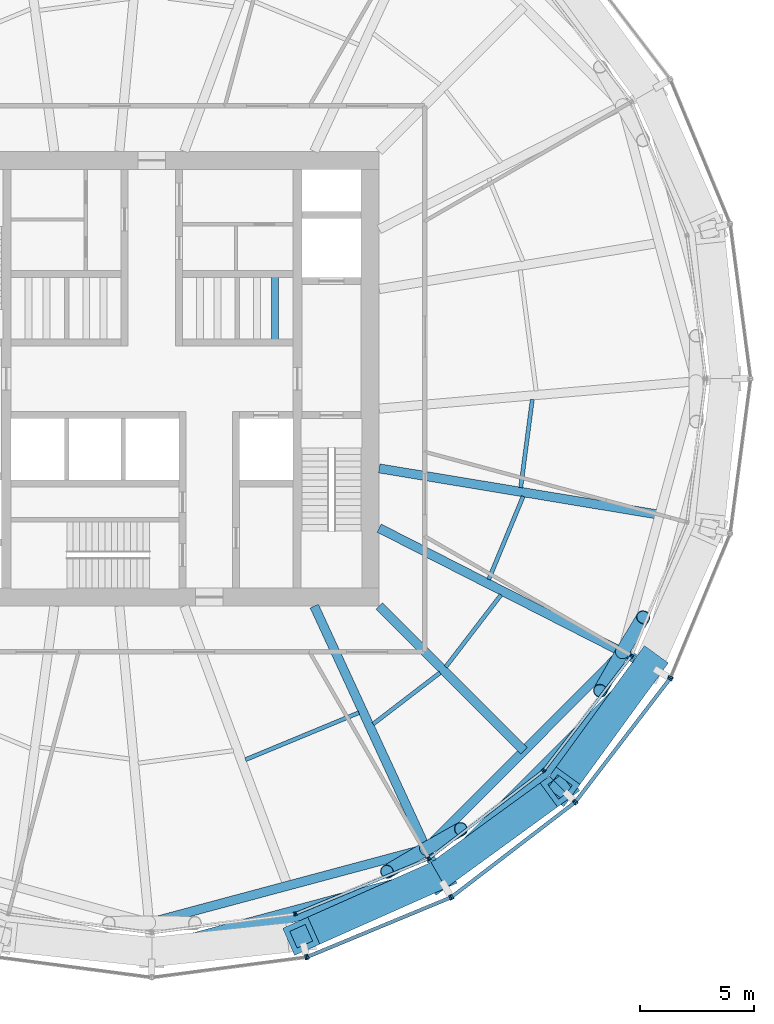
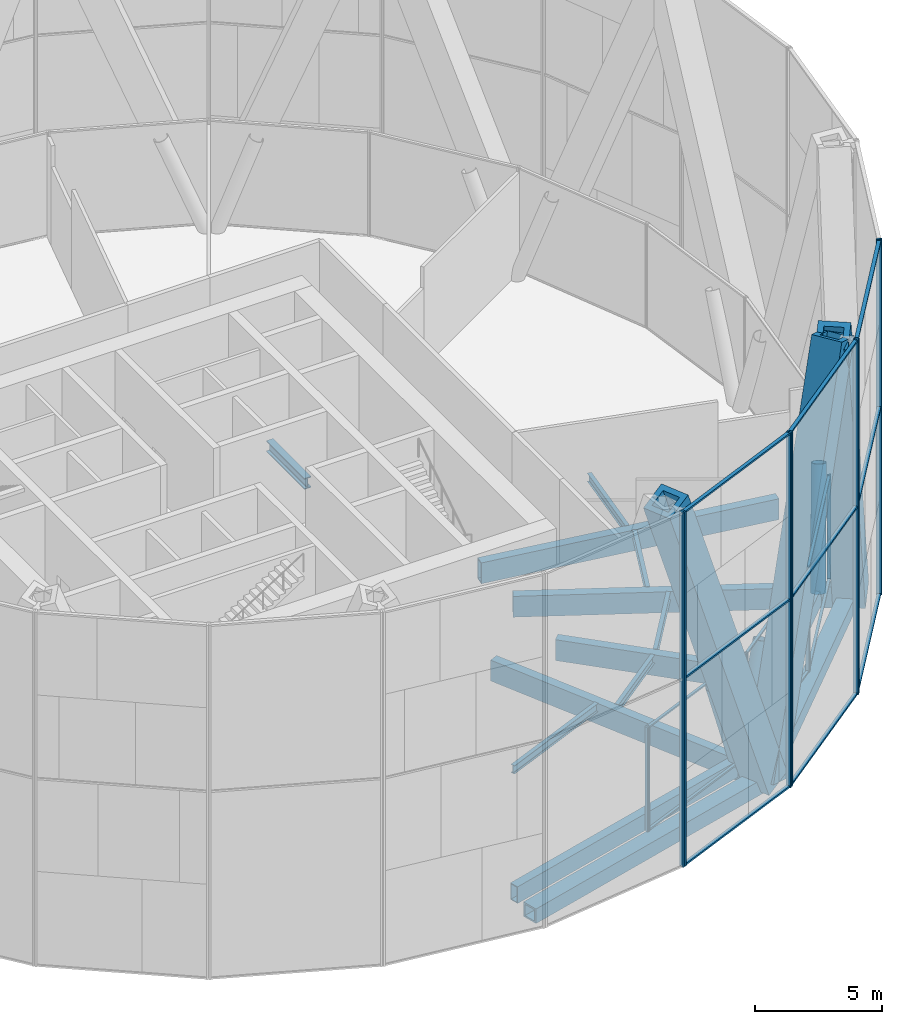
# One storey, part 4 of 16: 38 members, 14 beams, 10 elements without a shape of their own.
"""IFC4 building model written with IfcOpenShell, lengths in metres."""

from ifc_helpers import new_model, si_unit, direction, frame, origin, origin_2d, place, context, subcontext, project, spatial, rectangle, hollow_rectangle, hollow_circle, i_section, extrude, material, material_profile, profile_set, type_object, element, aggregate, save


model = new_model("IFC4")

# Units and contexts
model_context = context("Model", 3, precision=1e-05, world=origin(), true_north=direction((0.0, 1.0)))
body_context = subcontext(model_context, "Body", "Model", "MODEL_VIEW")
ifc_project = project(units=[si_unit("LENGTHUNIT", "METRE"), si_unit("AREAUNIT", "SQUARE_METRE"), si_unit("VOLUMEUNIT", "CUBIC_METRE"), si_unit("PLANEANGLEUNIT", "RADIAN"), si_unit("MASSUNIT", "GRAM", prefix="KILO")], contexts=[model_context])

# Site, building, storey
site_placement = place(None, origin())
site = spatial("IfcSite", under=ifc_project, at=site_placement, CompositionType="ELEMENT")
building_placement = place(site_placement, origin())
building = spatial("IfcBuilding", under=site, at=building_placement, Name="Golbaran Civic Tower", CompositionType="ELEMENT")
storey_placement = place(building_placement, frame((0.0, 0.0, 85.0)))
storey = spatial("IfcBuildingStorey", under=building, at=storey_placement, Name="L20", CompositionType="ELEMENT", Elevation=85.0)

# Members
ifc_material_1 = material(Name="Steel S355", Category="steel")
ifc_material_profile_1 = material_profile(ifc_material_1, hollow_circle(Radius=0.304931640625, WallThickness=0.02490234375, at=origin_2d()), Name="CHS 610.0x25")
ifc_profile_set_1 = profile_set([ifc_material_profile_1], Name="Steel S355")
member_type_1 = type_object("IfcMemberType", Name="BELT TRUSS DIAGONAL CHS 610.0x25", PredefinedType="BRACE", material=ifc_profile_set_1)
member_1_placement = place(storey_placement, frame((12.065185546875, -20.6630859375, -0.60009765625), z_axis=(0.288582653462, 0.161915925956, 0.943664816046), x_axis=(-0.489315556037, 0.872106809181, 0.0)))
element("IfcMember", 1, at=member_1_placement, inside=storey, type_object=member_type_1, Name="Belt truss diagonal 300.00R L20", PredefinedType="BRACE", context=body_context, shape_type="SweptSolid", body=[
    extrude(hollow_circle(Radius=0.304931640625, WallThickness=0.02490234375, at=origin_2d()), origin(), (0.0, 0.0, 1.0), 5.298583984375),
])
member_2_placement = place(storey_placement, frame((12.065185546875, -20.6630859375, -0.60009765625), z_axis=(-0.319905106981, -0.189078107017, 0.928391184778), x_axis=(0.50881561717, -0.860875523943, 0.0)))
element("IfcMember", 2, at=member_2_placement, inside=storey, type_object=member_type_1, Name="Belt truss diagonal 300.00L L20", PredefinedType="BRACE", context=body_context, shape_type="SweptSolid", body=[
    extrude(hollow_circle(Radius=0.304931640625, WallThickness=0.02490234375, at=origin_2d()), origin(), (0.0, 0.0, 1.0), 5.3857421875),
])
member_3_placement = place(storey_placement, frame((20.688232421875, -12.021728515625, -0.60009765625), z_axis=(0.17373343176, 0.288666900773, 0.941534978154), x_axis=(-0.856793813137, 0.515659152707, 0.0)))
element("IfcMember", 3, at=member_3_placement, inside=storey, type_object=member_type_1, Name="Belt truss diagonal 330.00R L20", PredefinedType="BRACE", context=body_context, shape_type="SweptSolid", body=[
    extrude(hollow_circle(Radius=0.304931640625, WallThickness=0.02490234375, at=origin_2d()), origin(), (0.0, 0.0, 1.0), 5.310546875),
])
member_4_placement = place(storey_placement, frame((20.688232421875, -12.021728515625, -0.60009765625), z_axis=(-0.181029971918, -0.316779719821, 0.931063240805), x_axis=(0.86822780606, -0.496165775507, 0.0)))
element("IfcMember", 4, at=member_4_placement, inside=storey, type_object=member_type_1, Name="Belt truss diagonal 330.00L L20", PredefinedType="BRACE", context=body_context, shape_type="SweptSolid", body=[
    extrude(hollow_circle(Radius=0.304931640625, WallThickness=0.02490234375, at=origin_2d()), origin(), (0.0, 0.0, 1.0), 5.3701171875),
])
ifc_material_profile_2 = material_profile(ifc_material_1, hollow_rectangle(XDim=1.300048828125, YDim=1.300048828125, WallThickness=0.25, at=origin_2d()), Name="BOX 1300x1300x250")
ifc_profile_set_2 = profile_set([ifc_material_profile_2], Name="Steel S355")
member_type_2 = type_object("IfcMemberType", Name="DIAGRID DIAGONAL BOX 1300x1300x250", PredefinedType="BRACE", material=ifc_profile_set_2)
for number, where, z_axis, x_axis, name in (
    (5, (12.60546875, -21.833251953125, -0.7099609375), (0.292875852707, 0.213080937127, 0.932105277924), (-0.588316728149, 0.80863058771, 0.0), "Diagonal D04-10R L20-L24"),
    (6, (12.60546875, -21.833251953125, -0.7099609375), (-0.330972563789, -0.14710040459, 0.932104410991), (0.406141895231, -0.913810024533, 0.0), "Diagonal D04-10L L20-L24"),
    (7, (21.833251953125, -12.60546875, -0.7099609375), (-0.213080937127, -0.292875852707, 0.932105277924), (0.80863058771, -0.588316728149, 0.0), "Diagonal D04-11L L20-L24"),
):
    element("IfcMember", number, at=place(storey_placement, frame(where, z_axis=z_axis, x_axis=x_axis)), inside=storey, type_object=member_type_2, Name=name, PredefinedType="BRACE", context=body_context, shape_type="SweptSolid", body=[
        extrude(hollow_rectangle(XDim=1.300048828125, YDim=1.300048828125, WallThickness=0.25, at=origin_2d()), origin(), (0.0, 0.0, 1.0), 18.23828125),
    ])

# Beams
ifc_material_profile_3 = material_profile(ifc_material_1, hollow_rectangle(XDim=0.699951171875, YDim=0.699951171875, WallThickness=0.080078125, at=origin_2d()), Name="BOX 700x700x80")
ifc_profile_set_3 = profile_set([ifc_material_profile_3], Name="Steel S355")
beam_type_1 = type_object("IfcBeamType", Name="DIAGRID RING TIE BOX 700x700x80", PredefinedType="BEAM", material=ifc_profile_set_3)
for number, where, z_axis, x_axis, name in (
    (8, (0.0, -25.2109375, -0.7099609375), (0.965924669682, 0.258823361579, 0.0), (-0.258823361579, 0.965924669682, 0.0), "Ring tie 270.00 L20"),
    (9, (12.60546875, -21.833251953125, -0.7099609375), (0.707106781187, 0.707106781187, 0.0), (-0.707106781187, 0.707106781187, 0.0), "Ring tie 300.00 L20"),
):
    element("IfcBeam", number, at=place(storey_placement, frame(where, z_axis=z_axis, x_axis=x_axis)), inside=storey, type_object=beam_type_1, Name=name, PredefinedType="BEAM", context=body_context, shape_type="SweptSolid", body=[
        extrude(hollow_rectangle(XDim=0.699951171875, YDim=0.699951171875, WallThickness=0.080078125, at=origin_2d()), origin(), (0.0, 0.0, 1.0), 13.050048828125),
    ])
ifc_material_profile_4 = material_profile(ifc_material_1, hollow_rectangle(XDim=0.39990234375, YDim=0.800048828125, WallThickness=0.0400390625, at=origin_2d()), Name="BOX 800x400x40")
ifc_profile_set_4 = profile_set([ifc_material_profile_4], Name="Steel S355")
beam_type_2 = type_object("IfcBeamType", Name="EDGE BEAM BOX 800x400x40", PredefinedType="BEAM", material=ifc_profile_set_4)
beam_1_placement = place(storey_placement, frame((0.055908203125, -23.8798828125, -0.60009765625), z_axis=(0.9659442267, 0.258750364067, 0.0), x_axis=(-0.258750364067, 0.9659442267, 0.0)))
element("IfcBeam", 10, at=beam_1_placement, inside=storey, type_object=beam_type_2, Name="Edge beam 270.00 L20", PredefinedType="BEAM", context=body_context, shape_type="SweptSolid", body=[
    extrude(hollow_rectangle(XDim=0.39990234375, YDim=0.800048828125, WallThickness=0.0400390625, at=origin_2d()), origin(), (0.0, 0.0, 1.0), 12.25),
])
beam_2_placement = place(storey_placement, frame((12.20068359375, -20.527099609375, -0.60009765625), z_axis=(0.706363241549, 0.707849539795, 0.0), x_axis=(-0.707849539795, 0.706363241549, 0.0)))
element("IfcBeam", 11, at=beam_2_placement, inside=storey, type_object=beam_type_2, Name="Edge beam 300.00 L20", PredefinedType="BEAM", context=body_context, shape_type="SweptSolid", body=[
    extrude(hollow_rectangle(XDim=0.39990234375, YDim=0.800048828125, WallThickness=0.0400390625, at=origin_2d()), origin(), (0.0, 0.0, 1.0), 11.82666015625),
])
ifc_material_profile_5 = material_profile(ifc_material_1, i_section(OverallWidth=0.179931640625, OverallDepth=0.39990234375, WebThickness=0.008544921875, FlangeThickness=0.013427734375, FilletRadius=0.02099609375, at=origin_2d()), Name="IPE 400")
ifc_profile_set_5 = profile_set([ifc_material_profile_5], Name="Steel S355")
beam_type_3 = type_object("IfcBeamType", Name="FLOOR INFILL BEAM IPE 400", PredefinedType="BEAM", material=ifc_profile_set_5)
beam_3_placement = place(storey_placement, frame((4.11669921875, -16.751953125, -0.39990234375), z_axis=(0.923878564595, 0.382685769113, 0.0), x_axis=(-0.382685769113, 0.923878564595, 0.0)))
element("IfcBeam", 12, at=beam_3_placement, inside=storey, type_object=beam_type_3, Name="Infill beam 292.50 L20", PredefinedType="BEAM", context=body_context, shape_type="SweptSolid", body=[
    extrude(i_section(OverallWidth=0.179931640625, OverallDepth=0.39990234375, WebThickness=0.008544921875, FlangeThickness=0.013427734375, FilletRadius=0.02099609375, at=origin_2d()), origin(), (0.0, 0.0, 1.0), 5.401611328125),
])
beam_4_placement = place(storey_placement, frame((9.734130859375, -15.18359375, -0.39990234375), z_axis=(0.793372973676, 0.60873584143, 0.0), x_axis=(-0.60873584143, 0.793372973676, 0.0)))
element("IfcBeam", 13, at=beam_4_placement, inside=storey, type_object=beam_type_3, Name="Infill beam 307.50 L20", PredefinedType="BEAM", context=body_context, shape_type="SweptSolid", body=[
    extrude(i_section(OverallWidth=0.179931640625, OverallDepth=0.39990234375, WebThickness=0.008544921875, FlangeThickness=0.013427734375, FilletRadius=0.02099609375, at=origin_2d()), origin(), (0.0, 0.0, 1.0), 3.705078125),
])
beam_5_placement = place(storey_placement, frame((12.92578125, -12.671142578125, -0.39990234375), z_axis=(0.608761492102, 0.793353291878, 0.0), x_axis=(-0.793353291878, 0.608761492102, 0.0)))
element("IfcBeam", 14, at=beam_5_placement, inside=storey, type_object=beam_type_3, Name="Infill beam 322.50 L20", PredefinedType="BEAM", context=body_context, shape_type="SweptSolid", body=[
    extrude(i_section(OverallWidth=0.179931640625, OverallDepth=0.39990234375, WebThickness=0.008544921875, FlangeThickness=0.013427734375, FilletRadius=0.02099609375, at=origin_2d()), origin(), (0.0, 0.0, 1.0), 3.99169921875),
])
beam_6_placement = place(storey_placement, frame((14.815673828125, -8.824951171875, -0.39990234375), z_axis=(0.38270267785, 0.923871560536, 0.0), x_axis=(-0.923871560536, 0.38270267785, 0.0)))
element("IfcBeam", 15, at=beam_6_placement, inside=storey, type_object=beam_type_3, Name="Infill beam 337.50 L20", PredefinedType="BEAM", context=body_context, shape_type="SweptSolid", body=[
    extrude(i_section(OverallWidth=0.179931640625, OverallDepth=0.39990234375, WebThickness=0.008544921875, FlangeThickness=0.013427734375, FilletRadius=0.02099609375, at=origin_2d()), origin(), (0.0, 0.0, 1.0), 3.953369140625),
])
beam_7_placement = place(storey_placement, frame((16.22119140625, -4.7900390625, -0.39990234375), z_axis=(0.130494890856, 0.991448981774, 0.0), x_axis=(-0.991448981774, 0.130494890856, 0.0)))
element("IfcBeam", 16, at=beam_7_placement, inside=storey, type_object=beam_type_3, Name="Infill beam 352.50 L20", PredefinedType="BEAM", context=body_context, shape_type="SweptSolid", body=[
    extrude(i_section(OverallWidth=0.179931640625, OverallDepth=0.39990234375, WebThickness=0.008544921875, FlangeThickness=0.013427734375, FilletRadius=0.02099609375, at=origin_2d()), origin(), (0.0, 0.0, 1.0), 3.91015625),
])
ifc_material_profile_6 = material_profile(ifc_material_1, i_section(OverallWidth=0.305908203125, OverallDepth=0.52392578125, WebThickness=0.02099609375, FlangeThickness=0.0400390625, FilletRadius=0.027099609375, at=origin_2d()), Name="HEM 500")
ifc_profile_set_6 = profile_set([ifc_material_profile_6], Name="Steel S355")
beam_type_4 = type_object("IfcBeamType", Name="LIFT PIT BEAM HEM 500", PredefinedType="BEAM", material=ifc_profile_set_6)
beam_8_placement = place(storey_placement, frame((5.416748046875, 1.60009765625, 1.738037109375), z_axis=(0.0, 1.0, 0.0), x_axis=(-1.0, 0.0, 0.0)))
element("IfcBeam", 17, at=beam_8_placement, inside=storey, type_object=beam_type_4, Name="Lift pit beam Z4M 2", PredefinedType="BEAM", context=body_context, shape_type="SweptSolid", body=[
    extrude(i_section(OverallWidth=0.305908203125, OverallDepth=0.52392578125, WebThickness=0.02099609375, FlangeThickness=0.0400390625, FilletRadius=0.027099609375, at=origin_2d()), origin(), (0.0, 0.0, 1.0), 3.0),
])

# Curtain wall, member
ifc_material_2 = material(Name="Aluminium and glass", Category="aluminium")
curtain_wall_type_1 = type_object("IfcCurtainWallType", Name="OUTER SKIN TERRACOTTA SCREEN", PredefinedType="NOTDEFINED", material=ifc_material_2)
curtain_wall_1_placement = place(storey_placement, origin())
curtain_wall_1 = element("IfcCurtainWall", 18, at=curtain_wall_1_placement, inside=storey, type_object=curtain_wall_type_1, Name="Outer skin L20 facet 19 CW3", ObjectType="OUTER SKIN", PredefinedType="USERDEFINED")
ifc_material_3 = material(Name="Aluminium", Category="aluminium")
ifc_material_profile_7 = material_profile(ifc_material_3, rectangle(XDim=0.219970703125, YDim=0.080078125, at=origin_2d()), Name="OUTER SKIN TERRACOTTA SCREEN MULLION")
ifc_profile_set_7 = profile_set([ifc_material_profile_7], Name="Aluminium")
member_type_3 = type_object("IfcMemberType", Name="OUTER SKIN TERRACOTTA SCREEN MULLION", PredefinedType="MULLION", material=ifc_profile_set_7)
member_5_placement = place(storey_placement, frame((6.775390625, -25.43896484375, -0.7099609375), z_axis=(0.0, 0.0, 1.0), x_axis=(-0.13052619222, 0.991444861374, 0.0)))
member_5 = element("IfcMember", 19, at=member_5_placement, type_object=member_type_3, Name="CW3 mullion 2", PredefinedType="MULLION", context=body_context, shape_type="SweptSolid", body=[
    extrude(rectangle(XDim=0.219970703125, YDim=0.080078125, at=origin_2d()), origin(), (0.0, 0.0, 1.0), 17.0),
])
aggregate(curtain_wall_1, [member_5])

# Curtain wall, members
curtain_wall_2_placement = place(storey_placement, origin())
curtain_wall_2 = element("IfcCurtainWall", 20, at=curtain_wall_2_placement, inside=storey, type_object=curtain_wall_type_1, Name="Outer skin L20 facet 20 CW3", ObjectType="OUTER SKIN", PredefinedType="USERDEFINED")
member_6_placement = place(storey_placement, frame((6.851806640625, -25.41845703125, -0.7099609375), z_axis=(0.0, 0.0, 1.0), x_axis=(-0.382683432397, 0.923879532498, 0.0)))
member_6 = element("IfcMember", 21, at=member_6_placement, type_object=member_type_3, Name="CW3 mullion 1", PredefinedType="MULLION", context=body_context, shape_type="SweptSolid", body=[
    extrude(rectangle(XDim=0.219970703125, YDim=0.080078125, at=origin_2d()), origin(), (0.0, 0.0, 1.0), 17.0),
])
member_7_placement = place(storey_placement, frame((13.128662109375, -22.818603515625, -0.7099609375), z_axis=(0.0, 0.0, 1.0), x_axis=(-0.382683432397, 0.923879532498, 0.0)))
member_7 = element("IfcMember", 22, at=member_7_placement, type_object=member_type_3, Name="CW3 mullion 2", PredefinedType="MULLION", context=body_context, shape_type="SweptSolid", body=[
    extrude(rectangle(XDim=0.219970703125, YDim=0.080078125, at=origin_2d()), origin(), (0.0, 0.0, 1.0), 17.0),
])

curtain_wall_3_placement = place(storey_placement, origin())
curtain_wall_3 = element("IfcCurtainWall", 23, at=curtain_wall_3_placement, inside=storey, type_object=curtain_wall_type_1, Name="Outer skin L20 facet 21 CW3", ObjectType="OUTER SKIN", PredefinedType="USERDEFINED")
member_8_placement = place(storey_placement, frame((13.197265625, -22.779052734375, -0.7099609375), z_axis=(0.0, 0.0, 1.0), x_axis=(-0.608761429078, 0.793353340238, 0.0)))
member_8 = element("IfcMember", 24, at=member_8_placement, type_object=member_type_3, Name="CW3 mullion 1", PredefinedType="MULLION", context=body_context, shape_type="SweptSolid", body=[
    extrude(rectangle(XDim=0.219970703125, YDim=0.080078125, at=origin_2d()), origin(), (0.0, 0.0, 1.0), 17.0),
])
member_9_placement = place(storey_placement, frame((18.587158203125, -18.64306640625, -0.7099609375), z_axis=(0.0, 0.0, 1.0), x_axis=(-0.608761429078, 0.793353340238, 0.0)))
member_9 = element("IfcMember", 25, at=member_9_placement, type_object=member_type_3, Name="CW3 mullion 2", PredefinedType="MULLION", context=body_context, shape_type="SweptSolid", body=[
    extrude(rectangle(XDim=0.219970703125, YDim=0.080078125, at=origin_2d()), origin(), (0.0, 0.0, 1.0), 17.0),
])

curtain_wall_4_placement = place(storey_placement, origin())
curtain_wall_4 = element("IfcCurtainWall", 26, at=curtain_wall_4_placement, inside=storey, type_object=curtain_wall_type_1, Name="Outer skin L20 facet 22 CW3", ObjectType="OUTER SKIN", PredefinedType="USERDEFINED")
member_10_placement = place(storey_placement, frame((18.64306640625, -18.587158203125, -0.7099609375), z_axis=(0.0, 0.0, 1.0), x_axis=(-0.793353340238, 0.608761429078, 0.0)))
member_10 = element("IfcMember", 27, at=member_10_placement, type_object=member_type_3, Name="CW3 mullion 1", PredefinedType="MULLION", context=body_context, shape_type="SweptSolid", body=[
    extrude(rectangle(XDim=0.219970703125, YDim=0.080078125, at=origin_2d()), origin(), (0.0, 0.0, 1.0), 17.0),
])
member_11_placement = place(storey_placement, frame((22.779052734375, -13.197265625, -0.7099609375), z_axis=(0.0, 0.0, 1.0), x_axis=(-0.793353340238, 0.608761429078, 0.0)))
member_11 = element("IfcMember", 28, at=member_11_placement, type_object=member_type_3, Name="CW3 mullion 2", PredefinedType="MULLION", context=body_context, shape_type="SweptSolid", body=[
    extrude(rectangle(XDim=0.219970703125, YDim=0.080078125, at=origin_2d()), origin(), (0.0, 0.0, 1.0), 17.0),
])

# Curtain wall, member
curtain_wall_5_placement = place(storey_placement, origin())
curtain_wall_5 = element("IfcCurtainWall", 29, at=curtain_wall_5_placement, inside=storey, type_object=curtain_wall_type_1, Name="Outer skin L20 facet 23 CW3", ObjectType="OUTER SKIN", PredefinedType="USERDEFINED")
member_12_placement = place(storey_placement, frame((22.818603515625, -13.128662109375, -0.7099609375), z_axis=(0.0, 0.0, 1.0), x_axis=(-0.923879532498, 0.382683432397, 0.0)))
member_12 = element("IfcMember", 30, at=member_12_placement, type_object=member_type_3, Name="CW3 mullion 1", PredefinedType="MULLION", context=body_context, shape_type="SweptSolid", body=[
    extrude(rectangle(XDim=0.219970703125, YDim=0.080078125, at=origin_2d()), origin(), (0.0, 0.0, 1.0), 17.0),
])
aggregate(curtain_wall_5, [member_12])

# Member
ifc_material_profile_8 = material_profile(ifc_material_3, rectangle(XDim=0.159912109375, YDim=0.080078125, at=origin_2d()), Name="OUTER SKIN TERRACOTTA SCREEN TRANSOM")
ifc_profile_set_8 = profile_set([ifc_material_profile_8], Name="Aluminium")
member_type_4 = type_object("IfcMemberType", Name="OUTER SKIN TERRACOTTA SCREEN TRANSOM", PredefinedType="USERDEFINED", material=ifc_profile_set_8)
member_13_placement = place(storey_placement, frame((6.888916015625, -25.403076171875, -0.669921875), z_axis=(0.923886086395, 0.382667609507, 0.0), x_axis=(-0.382667609507, 0.923886086395, 0.0)))
member_13 = element("IfcMember", 31, at=member_13_placement, type_object=member_type_4, Name="CW3 transom 1.1", ObjectType="TRANSOM", PredefinedType="USERDEFINED", context=body_context, shape_type="SweptSolid", body=[
    extrude(rectangle(XDim=0.159912109375, YDim=0.080078125, at=origin_2d()), origin(), (0.0, 0.0, 1.0), 6.713623046875),
])

member_14_placement = place(storey_placement, frame((6.888916015625, -25.403076171875, 8.2900390625), z_axis=(0.923886086395, 0.382667609507, 0.0), x_axis=(-0.382667609507, 0.923886086395, 0.0)))
member_14 = element("IfcMember", 32, at=member_14_placement, type_object=member_type_4, Name="CW3 transom 1.2", ObjectType="TRANSOM", PredefinedType="USERDEFINED", context=body_context, shape_type="SweptSolid", body=[
    extrude(rectangle(XDim=0.159912109375, YDim=0.080078125, at=origin_2d()), origin(), (0.0, 0.0, 1.0), 6.713623046875),
])

member_15_placement = place(storey_placement, frame((6.888916015625, -25.403076171875, 16.25), z_axis=(0.923886086395, 0.382667609507, 0.0), x_axis=(-0.382667609507, 0.923886086395, 0.0)))
member_15 = element("IfcMember", 33, at=member_15_placement, type_object=member_type_4, Name="CW3 transom 1.3", ObjectType="TRANSOM", PredefinedType="USERDEFINED", context=body_context, shape_type="SweptSolid", body=[
    extrude(rectangle(XDim=0.159912109375, YDim=0.080078125, at=origin_2d()), origin(), (0.0, 0.0, 1.0), 6.713623046875),
])

aggregate(curtain_wall_2, [member_6, member_7, member_13, member_14, member_15])

member_16_placement = place(storey_placement, frame((13.22900390625, -22.754638671875, -0.669921875), z_axis=(0.793349351802, 0.608766626874, 0.0), x_axis=(-0.608766626874, 0.793349351802, 0.0)))
member_16 = element("IfcMember", 34, at=member_16_placement, type_object=member_type_4, Name="CW3 transom 1.1", ObjectType="TRANSOM", PredefinedType="USERDEFINED", context=body_context, shape_type="SweptSolid", body=[
    extrude(rectangle(XDim=0.159912109375, YDim=0.080078125, at=origin_2d()), origin(), (0.0, 0.0, 1.0), 6.7138671875),
])

member_17_placement = place(storey_placement, frame((13.22900390625, -22.754638671875, 8.2900390625), z_axis=(0.793349351802, 0.608766626874, 0.0), x_axis=(-0.608766626874, 0.793349351802, 0.0)))
member_17 = element("IfcMember", 35, at=member_17_placement, type_object=member_type_4, Name="CW3 transom 1.2", ObjectType="TRANSOM", PredefinedType="USERDEFINED", context=body_context, shape_type="SweptSolid", body=[
    extrude(rectangle(XDim=0.159912109375, YDim=0.080078125, at=origin_2d()), origin(), (0.0, 0.0, 1.0), 6.7138671875),
])

member_18_placement = place(storey_placement, frame((13.22900390625, -22.754638671875, 16.25), z_axis=(0.793349351802, 0.608766626874, 0.0), x_axis=(-0.608766626874, 0.793349351802, 0.0)))
member_18 = element("IfcMember", 36, at=member_18_placement, type_object=member_type_4, Name="CW3 transom 1.3", ObjectType="TRANSOM", PredefinedType="USERDEFINED", context=body_context, shape_type="SweptSolid", body=[
    extrude(rectangle(XDim=0.159912109375, YDim=0.080078125, at=origin_2d()), origin(), (0.0, 0.0, 1.0), 6.7138671875),
])

aggregate(curtain_wall_3, [member_8, member_9, member_16, member_17, member_18])

member_19_placement = place(storey_placement, frame((18.66748046875, -18.555419921875, -0.669921875), z_axis=(0.608766626874, 0.793349351802, 0.0), x_axis=(-0.793349351802, 0.608766626874, 0.0)))
member_19 = element("IfcMember", 37, at=member_19_placement, type_object=member_type_4, Name="CW3 transom 1.1", ObjectType="TRANSOM", PredefinedType="USERDEFINED", context=body_context, shape_type="SweptSolid", body=[
    extrude(rectangle(XDim=0.159912109375, YDim=0.080078125, at=origin_2d()), origin(), (0.0, 0.0, 1.0), 6.7138671875),
])

member_20_placement = place(storey_placement, frame((18.66748046875, -18.555419921875, 8.2900390625), z_axis=(0.608766626874, 0.793349351802, 0.0), x_axis=(-0.793349351802, 0.608766626874, 0.0)))
member_20 = element("IfcMember", 38, at=member_20_placement, type_object=member_type_4, Name="CW3 transom 1.2", ObjectType="TRANSOM", PredefinedType="USERDEFINED", context=body_context, shape_type="SweptSolid", body=[
    extrude(rectangle(XDim=0.159912109375, YDim=0.080078125, at=origin_2d()), origin(), (0.0, 0.0, 1.0), 6.7138671875),
])

member_21_placement = place(storey_placement, frame((18.66748046875, -18.555419921875, 16.25), z_axis=(0.608766626874, 0.793349351802, 0.0), x_axis=(-0.793349351802, 0.608766626874, 0.0)))
member_21 = element("IfcMember", 39, at=member_21_placement, type_object=member_type_4, Name="CW3 transom 1.3", ObjectType="TRANSOM", PredefinedType="USERDEFINED", context=body_context, shape_type="SweptSolid", body=[
    extrude(rectangle(XDim=0.159912109375, YDim=0.080078125, at=origin_2d()), origin(), (0.0, 0.0, 1.0), 6.7138671875),
])

aggregate(curtain_wall_4, [member_10, member_11, member_19, member_20, member_21])

# Curtain wall, member
curtain_wall_type_2 = type_object("IfcCurtainWallType", Name="PLANT FLOOR LOUVRE WALL", PredefinedType="NOTDEFINED", material=ifc_material_2)
curtain_wall_6_placement = place(storey_placement, origin())
curtain_wall_6 = element("IfcCurtainWall", 40, at=curtain_wall_6_placement, inside=storey, type_object=curtain_wall_type_2, Name="Inner skin L20 facet 19 CW6", ObjectType="PLANT LOUVRE WALL", PredefinedType="USERDEFINED")
ifc_material_profile_9 = material_profile(ifc_material_3, rectangle(XDim=0.159912109375, YDim=0.070068359375, at=origin_2d()), Name="PLANT FLOOR LOUVRE WALL MULLION")
ifc_profile_set_9 = profile_set([ifc_material_profile_9], Name="Aluminium")
member_type_5 = type_object("IfcMemberType", Name="PLANT FLOOR LOUVRE WALL MULLION", PredefinedType="MULLION", material=ifc_profile_set_9)
member_22_placement = place(storey_placement, frame((6.271728515625, -23.540283203125, 0.0), z_axis=(0.0, 0.0, 1.0), x_axis=(-0.130526192272, 0.991444861367, 0.0)))
member_22 = element("IfcMember", 41, at=member_22_placement, type_object=member_type_5, Name="CW6 mullion 2", PredefinedType="MULLION", context=body_context, shape_type="SweptSolid", body=[
    extrude(rectangle(XDim=0.159912109375, YDim=0.070068359375, at=origin_2d()), origin(), (0.0, 0.0, 1.0), 5.0),
])
aggregate(curtain_wall_6, [member_22])

# Curtain wall, members
curtain_wall_7_placement = place(storey_placement, origin())
curtain_wall_7 = element("IfcCurtainWall", 42, at=curtain_wall_7_placement, inside=storey, type_object=curtain_wall_type_2, Name="Inner skin L20 facet 20 CW6", ObjectType="PLANT LOUVRE WALL", PredefinedType="USERDEFINED")
member_23_placement = place(storey_placement, frame((6.338623046875, -23.5224609375, 0.0), z_axis=(0.0, 0.0, 1.0), x_axis=(-0.382683432268, 0.923879532551, 0.0)))
member_23 = element("IfcMember", 43, at=member_23_placement, type_object=member_type_5, Name="CW6 mullion 1", PredefinedType="MULLION", context=body_context, shape_type="SweptSolid", body=[
    extrude(rectangle(XDim=0.159912109375, YDim=0.070068359375, at=origin_2d()), origin(), (0.0, 0.0, 1.0), 5.0),
])
member_24_placement = place(storey_placement, frame((12.150634765625, -21.114990234375, 0.0), z_axis=(0.0, 0.0, 1.0), x_axis=(-0.382683432268, 0.923879532551, 0.0)))
member_24 = element("IfcMember", 44, at=member_24_placement, type_object=member_type_5, Name="CW6 mullion 2", PredefinedType="MULLION", context=body_context, shape_type="SweptSolid", body=[
    extrude(rectangle(XDim=0.159912109375, YDim=0.070068359375, at=origin_2d()), origin(), (0.0, 0.0, 1.0), 5.0),
])

curtain_wall_8_placement = place(storey_placement, origin())
curtain_wall_8 = element("IfcCurtainWall", 45, at=curtain_wall_8_placement, inside=storey, type_object=curtain_wall_type_2, Name="Inner skin L20 facet 21 CW6", ObjectType="PLANT LOUVRE WALL", PredefinedType="USERDEFINED")
member_25_placement = place(storey_placement, frame((12.210693359375, -21.080322265625, 0.0), z_axis=(0.0, 0.0, 1.0), x_axis=(-0.608761429119, 0.793353340206, 0.0)))
member_25 = element("IfcMember", 46, at=member_25_placement, type_object=member_type_5, Name="CW6 mullion 1", PredefinedType="MULLION", context=body_context, shape_type="SweptSolid", body=[
    extrude(rectangle(XDim=0.159912109375, YDim=0.070068359375, at=origin_2d()), origin(), (0.0, 0.0, 1.0), 5.0),
])
member_26_placement = place(storey_placement, frame((17.20166015625, -17.250732421875, 0.0), z_axis=(0.0, 0.0, 1.0), x_axis=(-0.608761429119, 0.793353340206, 0.0)))
member_26 = element("IfcMember", 47, at=member_26_placement, type_object=member_type_5, Name="CW6 mullion 2", PredefinedType="MULLION", context=body_context, shape_type="SweptSolid", body=[
    extrude(rectangle(XDim=0.159912109375, YDim=0.070068359375, at=origin_2d()), origin(), (0.0, 0.0, 1.0), 5.0),
])

curtain_wall_9_placement = place(storey_placement, origin())
curtain_wall_9 = element("IfcCurtainWall", 48, at=curtain_wall_9_placement, inside=storey, type_object=curtain_wall_type_2, Name="Inner skin L20 facet 22 CW6", ObjectType="PLANT LOUVRE WALL", PredefinedType="USERDEFINED")
member_27_placement = place(storey_placement, frame((17.250732421875, -17.20166015625, 0.0), z_axis=(0.0, 0.0, 1.0), x_axis=(-0.793353340206, 0.608761429119, 0.0)))
member_27 = element("IfcMember", 49, at=member_27_placement, type_object=member_type_5, Name="CW6 mullion 1", PredefinedType="MULLION", context=body_context, shape_type="SweptSolid", body=[
    extrude(rectangle(XDim=0.159912109375, YDim=0.070068359375, at=origin_2d()), origin(), (0.0, 0.0, 1.0), 5.0),
])
member_28_placement = place(storey_placement, frame((21.080322265625, -12.210693359375, 0.0), z_axis=(0.0, 0.0, 1.0), x_axis=(-0.793353340206, 0.608761429119, 0.0)))
member_28 = element("IfcMember", 50, at=member_28_placement, type_object=member_type_5, Name="CW6 mullion 2", PredefinedType="MULLION", context=body_context, shape_type="SweptSolid", body=[
    extrude(rectangle(XDim=0.159912109375, YDim=0.070068359375, at=origin_2d()), origin(), (0.0, 0.0, 1.0), 5.0),
])

# Curtain wall, member
curtain_wall_10_placement = place(storey_placement, origin())
curtain_wall_10 = element("IfcCurtainWall", 51, at=curtain_wall_10_placement, inside=storey, type_object=curtain_wall_type_2, Name="Inner skin L20 facet 23 CW6", ObjectType="PLANT LOUVRE WALL", PredefinedType="USERDEFINED")
member_29_placement = place(storey_placement, frame((21.114990234375, -12.150634765625, 0.0), z_axis=(0.0, 0.0, 1.0), x_axis=(-0.923879532551, 0.382683432268, 0.0)))
member_29 = element("IfcMember", 52, at=member_29_placement, type_object=member_type_5, Name="CW6 mullion 1", PredefinedType="MULLION", context=body_context, shape_type="SweptSolid", body=[
    extrude(rectangle(XDim=0.159912109375, YDim=0.070068359375, at=origin_2d()), origin(), (0.0, 0.0, 1.0), 5.0),
])
aggregate(curtain_wall_10, [member_29])

# Member
ifc_material_profile_10 = material_profile(ifc_material_3, rectangle(XDim=0.1201171875, YDim=0.070068359375, at=origin_2d()), Name="PLANT FLOOR LOUVRE WALL TRANSOM")
ifc_profile_set_10 = profile_set([ifc_material_profile_10], Name="Aluminium")
member_type_6 = type_object("IfcMemberType", Name="PLANT FLOOR LOUVRE WALL TRANSOM", PredefinedType="USERDEFINED", material=ifc_profile_set_10)
member_30_placement = place(storey_placement, frame((6.37109375, -23.509033203125, 0.034912109375), z_axis=(0.923879552933, 0.382683383062, 0.0), x_axis=(-0.382683383062, 0.923879552933, 0.0)))
member_30 = element("IfcMember", 53, at=member_30_placement, type_object=member_type_6, Name="CW6 transom 1.1", ObjectType="TRANSOM", PredefinedType="USERDEFINED", context=body_context, shape_type="SweptSolid", body=[
    extrude(rectangle(XDim=0.1201171875, YDim=0.070068359375, at=origin_2d()), origin(), (0.0, 0.0, 1.0), 6.220947265625),
])

member_31_placement = place(storey_placement, frame((6.37109375, -23.509033203125, 4.965087890625), z_axis=(0.923879552933, 0.382683383062, 0.0), x_axis=(-0.382683383062, 0.923879552933, 0.0)))
member_31 = element("IfcMember", 54, at=member_31_placement, type_object=member_type_6, Name="CW6 transom 1.2", ObjectType="TRANSOM", PredefinedType="USERDEFINED", context=body_context, shape_type="SweptSolid", body=[
    extrude(rectangle(XDim=0.1201171875, YDim=0.070068359375, at=origin_2d()), origin(), (0.0, 0.0, 1.0), 6.220947265625),
])

aggregate(curtain_wall_7, [member_23, member_24, member_30, member_31])

member_32_placement = place(storey_placement, frame((12.238525390625, -21.05908203125, 0.034912109375), z_axis=(0.793344148669, 0.608773407576, 0.0), x_axis=(-0.608773407576, 0.793344148669, 0.0)))
member_32 = element("IfcMember", 55, at=member_32_placement, type_object=member_type_6, Name="CW6 transom 1.1", ObjectType="TRANSOM", PredefinedType="USERDEFINED", context=body_context, shape_type="SweptSolid", body=[
    extrude(rectangle(XDim=0.1201171875, YDim=0.070068359375, at=origin_2d()), origin(), (0.0, 0.0, 1.0), 6.220947265625),
])

member_33_placement = place(storey_placement, frame((12.238525390625, -21.05908203125, 4.965087890625), z_axis=(0.793344148669, 0.608773407576, 0.0), x_axis=(-0.608773407576, 0.793344148669, 0.0)))
member_33 = element("IfcMember", 56, at=member_33_placement, type_object=member_type_6, Name="CW6 transom 1.2", ObjectType="TRANSOM", PredefinedType="USERDEFINED", context=body_context, shape_type="SweptSolid", body=[
    extrude(rectangle(XDim=0.1201171875, YDim=0.070068359375, at=origin_2d()), origin(), (0.0, 0.0, 1.0), 6.220947265625),
])

aggregate(curtain_wall_8, [member_25, member_26, member_32, member_33])

member_34_placement = place(storey_placement, frame((17.27197265625, -17.173828125, 0.034912109375), z_axis=(0.608773407576, 0.793344148669, 0.0), x_axis=(-0.793344148669, 0.608773407576, 0.0)))
member_34 = element("IfcMember", 57, at=member_34_placement, type_object=member_type_6, Name="CW6 transom 1.1", ObjectType="TRANSOM", PredefinedType="USERDEFINED", context=body_context, shape_type="SweptSolid", body=[
    extrude(rectangle(XDim=0.1201171875, YDim=0.070068359375, at=origin_2d()), origin(), (0.0, 0.0, 1.0), 6.220947265625),
])

member_35_placement = place(storey_placement, frame((17.27197265625, -17.173828125, 4.965087890625), z_axis=(0.608773407576, 0.793344148669, 0.0), x_axis=(-0.793344148669, 0.608773407576, 0.0)))
member_35 = element("IfcMember", 58, at=member_35_placement, type_object=member_type_6, Name="CW6 transom 1.2", ObjectType="TRANSOM", PredefinedType="USERDEFINED", context=body_context, shape_type="SweptSolid", body=[
    extrude(rectangle(XDim=0.1201171875, YDim=0.070068359375, at=origin_2d()), origin(), (0.0, 0.0, 1.0), 6.220947265625),
])

aggregate(curtain_wall_9, [member_27, member_28, member_34, member_35])

# Beams
ifc_material_profile_11 = material_profile(ifc_material_1, hollow_rectangle(XDim=0.39990234375, YDim=1.0, WallThickness=0.0400390625, at=origin_2d()), Name="BOX 1000x400x40")
ifc_profile_set_11 = profile_set([ifc_material_profile_11], Name="Steel S355")
beam_type_5 = type_object("IfcBeamType", Name="RADIAL FLOOR BEAM BOX 1000x400x40", PredefinedType="BEAM", material=ifc_profile_set_11)
beam_9_placement = place(storey_placement, frame((7.142822265625, -10.0, -0.7099609375), z_axis=(0.419127075414, -0.907927582274, 0.0), x_axis=(0.907927582274, 0.419127075414, 0.0)))
element("IfcBeam", 59, at=beam_9_placement, inside=storey, type_object=beam_type_5, Name="Radial beam 300.00 L20", PredefinedType="BEAM", context=body_context, shape_type="SweptSolid", body=[
    extrude(hollow_rectangle(XDim=0.39990234375, YDim=1.0, WallThickness=0.0400390625, at=origin_2d()), origin(), (0.0, 0.0, 1.0), 12.35888671875),
])
beam_10_placement = place(storey_placement, frame((10.0, -6.571533203125, -0.7099609375), z_axis=(0.890865453521, -0.454267260237, 0.0), x_axis=(0.454267260237, 0.890865453521, 0.0)))
element("IfcBeam", 60, at=beam_10_placement, inside=storey, type_object=beam_type_5, Name="Radial beam 330.00 L20", PredefinedType="BEAM", context=body_context, shape_type="SweptSolid", body=[
    extrude(hollow_rectangle(XDim=0.39990234375, YDim=1.0, WallThickness=0.0400390625, at=origin_2d()), origin(), (0.0, 0.0, 1.0), 12.615234375),
])
ifc_material_profile_12 = material_profile(ifc_material_1, hollow_rectangle(XDim=0.39990234375, YDim=1.0, WallThickness=0.0400390625, at=origin_2d()), Name="BOX 1000x400x40")
ifc_profile_set_12 = profile_set([ifc_material_profile_12], Name="Steel S355")
beam_type_6 = type_object("IfcBeamType", Name="SECONDARY FLOOR BEAM BOX 1000x400x40", PredefinedType="BEAM", material=ifc_profile_set_12)
beam_11_placement = place(storey_placement, frame((10.0, -10.0, -0.7099609375), z_axis=(0.707106781187, -0.707106781187, 0.0), x_axis=(0.707106781187, 0.707106781187, 0.0)))
element("IfcBeam", 61, at=beam_11_placement, inside=storey, type_object=beam_type_6, Name="Secondary beam 315.00 L20", PredefinedType="BEAM", context=body_context, shape_type="SweptSolid", body=[
    extrude(hollow_rectangle(XDim=0.39990234375, YDim=1.0, WallThickness=0.0400390625, at=origin_2d()), origin(), (0.0, 0.0, 1.0), 8.993896484375),
])
beam_12_placement = place(storey_placement, frame((10.0, -3.94287109375, -0.7099609375), z_axis=(0.986581755534, -0.16326799946, 0.0), x_axis=(0.16326799946, 0.986581755534, 0.0)))
element("IfcBeam", 62, at=beam_12_placement, inside=storey, type_object=beam_type_6, Name="Secondary beam 345.00 L20", PredefinedType="BEAM", context=body_context, shape_type="SweptSolid", body=[
    extrude(hollow_rectangle(XDim=0.39990234375, YDim=1.0, WallThickness=0.0400390625, at=origin_2d()), origin(), (0.0, 0.0, 1.0), 12.498046875),
])

save(model, "model.ifc")
